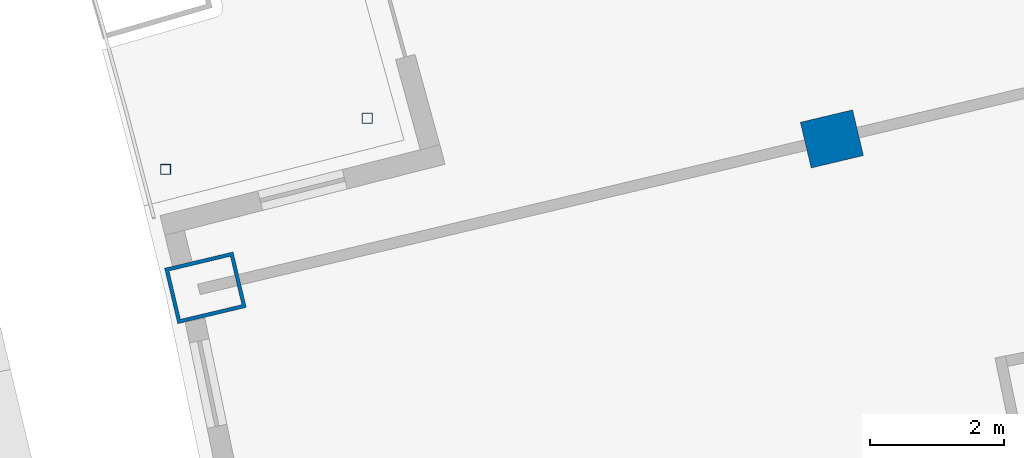
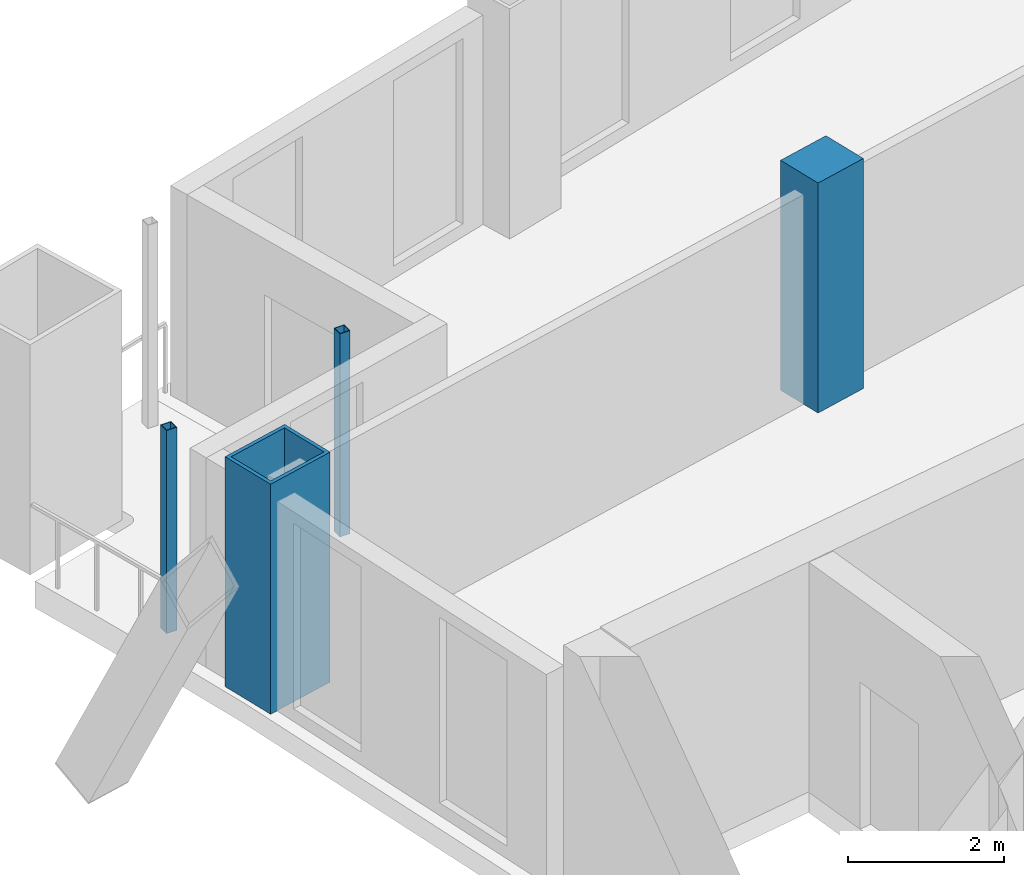
# One storey, part 5 of 19: 4 columns.
"""IFC4 building model written with IfcOpenShell, lengths in metres."""

from ifc_helpers import new_model, si_unit, direction, frame, origin, origin_2d, place, context, subcontext, project, spatial, rectangle, hollow_rectangle, extrude, material, material_profile, profile_set, type_object, element, save


model = new_model("IFC4")

# Units and contexts
model_context = context("Model", 3, precision=1e-05, world=origin(), true_north=direction((0.0, 1.0)))
body_context = subcontext(model_context, "Body", "Model", "MODEL_VIEW")
ifc_project = project(units=[si_unit("LENGTHUNIT", "METRE"), si_unit("AREAUNIT", "SQUARE_METRE"), si_unit("VOLUMEUNIT", "CUBIC_METRE"), si_unit("PLANEANGLEUNIT", "RADIAN"), si_unit("MASSUNIT", "GRAM", prefix="KILO")], contexts=[model_context])

# Site, building, storey
site_placement = place(None, origin())
site = spatial("IfcSite", under=ifc_project, at=site_placement, CompositionType="ELEMENT")
building_placement = place(site_placement, origin())
building = spatial("IfcBuilding", under=site, at=building_placement, Name="Alderwake Tower", CompositionType="ELEMENT")
storey_placement = place(building_placement, frame((0.0, 0.0, 221.60009765625)))
storey = spatial("IfcBuildingStorey", under=building, at=storey_placement, Name="L55", CompositionType="ELEMENT", Elevation=221.60009765625)

# Columns
ifc_material_1 = material(Name="Concrete C70/85", Category="concrete")
ifc_material_profile_1 = material_profile(ifc_material_1, rectangle(XDim=0.699951171875, YDim=0.800048828125, at=origin_2d()), Name="RC 800X700")
ifc_profile_set_1 = profile_set([ifc_material_profile_1], Name="Concrete C70/85")
column_type_1 = type_object("IfcColumnType", Name="Interior column Z4", PredefinedType="COLUMN", material=ifc_profile_set_1)
column_1_placement = place(storey_placement, frame((23.322021484375, 85.555908203125, 0.0), z_axis=(0.0, 0.0, 1.0), x_axis=(-0.231221547198, 0.972901123502, 0.0)))
element("IfcColumn", 1, at=column_1_placement, inside=storey, type_object=column_type_1, Name="Column R11-C1", PredefinedType="COLUMN", context=body_context, shape_type="SweptSolid", body=[
    extrude(rectangle(XDim=0.699951171875, YDim=0.800048828125, at=origin_2d()), origin(), (0.0, 0.0, 1.0), 3.599853515625),
])
ifc_material_2 = material(Name="Steel ASTM A500 Grade C", Category="steel")
ifc_material_profile_2 = material_profile(ifc_material_2, hollow_rectangle(XDim=0.15234375, YDim=0.15234375, WallThickness=0.0087890625, at=origin_2d()), Name="HSS6X6X3/8")
ifc_profile_set_2 = profile_set([ifc_material_profile_2], Name="Steel ASTM A500 Grade C")
column_type_2 = type_object("IfcColumnType", Name="Light post HSS6X6X3/8", PredefinedType="COLUMN", material=ifc_profile_set_2)
for number, where, z_axis, x_axis, name in (
    (2, (13.3896484375, 85.103515625, 0.0), (0.0, 0.0, 1.0), (1.0, 0.0, 0.0), "Terrace post RN1"),
    (3, (16.39501953125, 85.864013671875, 0.0), (0.0, 0.0, 1.0), (1.0, 0.0, 0.0), "Terrace post RN3"),
):
    element("IfcColumn", number, at=place(storey_placement, frame(where, z_axis=z_axis, x_axis=x_axis)), inside=storey, type_object=column_type_2, Name=name, PredefinedType="COLUMN", context=body_context, shape_type="SweptSolid", body=[
        extrude(hollow_rectangle(XDim=0.15234375, YDim=0.15234375, WallThickness=0.0087890625, at=origin_2d()), origin(), (0.0, 0.0, 1.0), 3.179931640625),
    ])
ifc_material_3 = material(Name="Steel ASTM A572 Grade 50 concrete filled C70/85", Category="concrete")
ifc_material_profile_3 = material_profile(ifc_material_3, hollow_rectangle(XDim=0.85009765625, YDim=1.050048828125, WallThickness=0.054931640625, at=origin_2d()), Name="BOX 1050X850X55")
ifc_profile_set_3 = profile_set([ifc_material_profile_3], Name="Steel ASTM A572 Grade 50 concrete filled C70/85")
column_type_3 = type_object("IfcColumnType", Name="Perimeter column Z4", PredefinedType="COLUMN", material=ifc_profile_set_3)
column_2_placement = place(storey_placement, frame((13.982177734375, 83.3359375, 0.0), z_axis=(0.0, 0.0, 1.0), x_axis=(-0.231221547198, 0.972901123502, 0.0)))
element("IfcColumn", 4, at=column_2_placement, inside=storey, type_object=column_type_3, Name="Column R11-C0", PredefinedType="COLUMN", context=body_context, shape_type="SweptSolid", body=[
    extrude(hollow_rectangle(XDim=0.85009765625, YDim=1.050048828125, WallThickness=0.054931640625, at=origin_2d()), origin(), (0.0, 0.0, 1.0), 3.599853515625),
])

save(model, "model.ifc")
